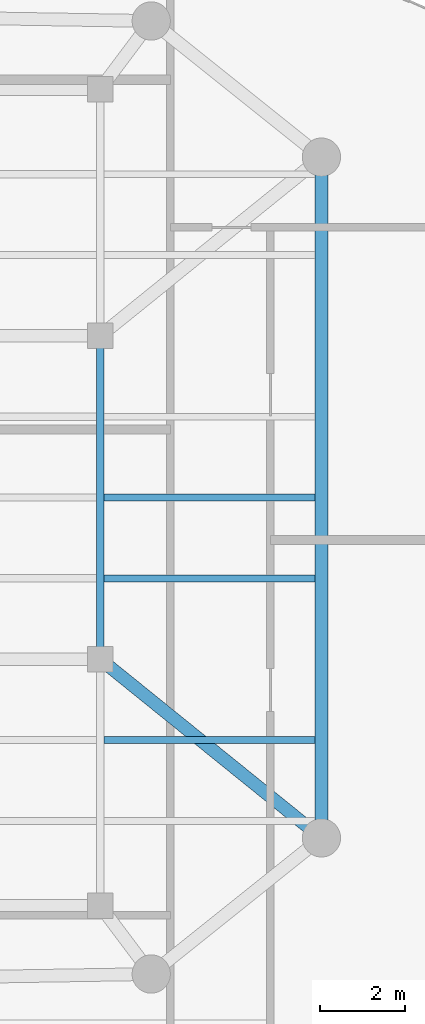
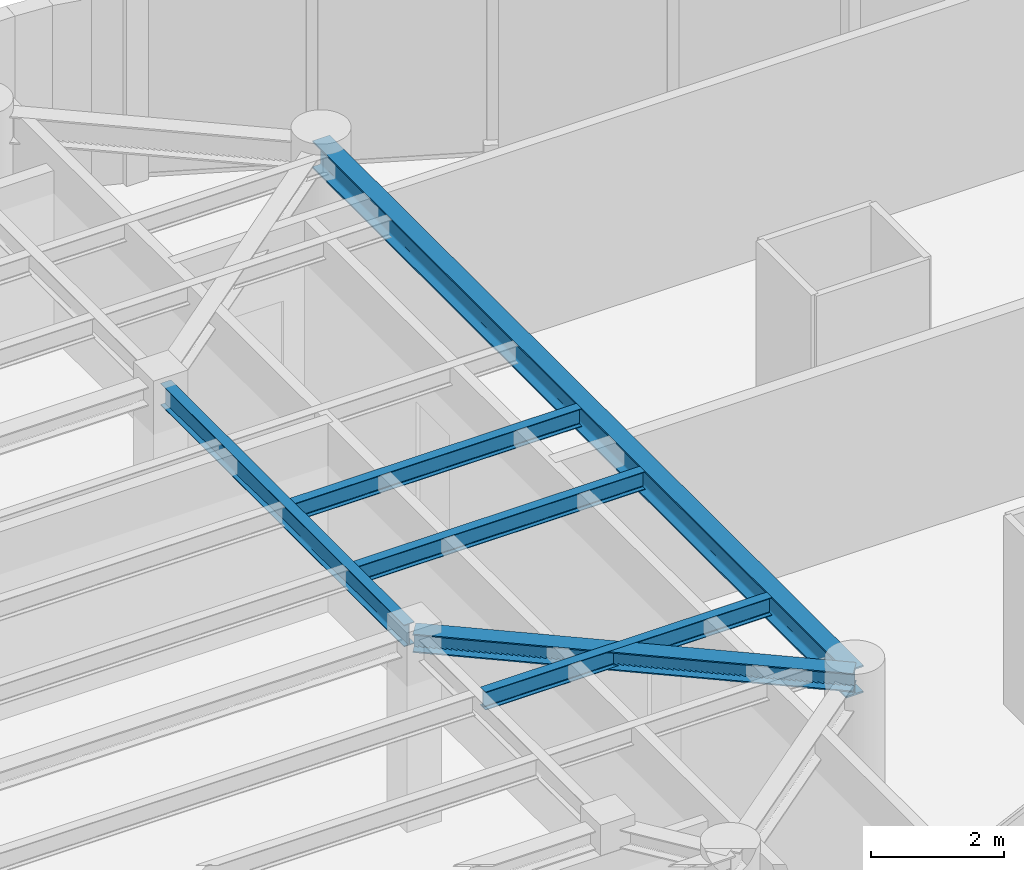
# One storey, part 3 of 12: 6 beams.
"""IFC4 building model written with IfcOpenShell, lengths in metres."""

import ifcopenshell
import ifcopenshell.guid

model = None  # the IFC model being written
_history = None  # IfcOwnerHistory: only IFC2X3 demands one
_inside = {}  # id of a spatial element -> (the spatial element, [elements in it])
_under = {}  # id of a project, library or spatial element -> (it, [spatial elements below it])
_declared = {}  # id of a project -> (the project, [libraries it declares])
_typed = {}  # id of a type object -> (the type object, [elements of that type])
_made_of = {}  # id of a material, layer set ... -> (it, [elements and type objects made of it])


def new_model(schema):
    """Start an empty IFC model of exactly this schema.

    Asked for "IFC4X3", IfcOpenShell would pick the latest addendum, in which some entities
    have other attributes; the version numbers below select the first issue.
    IFC2X3 requires an IfcOwnerHistory on every rooted entity: one is made here for all.
    """
    global model, _history
    if schema == "IFC4X3":
        model = ifcopenshell.file(schema_version=(4, 3, 0, 0))
    else:
        model = ifcopenshell.file(schema=schema)
    _inside.clear()
    _under.clear()
    _declared.clear()
    _typed.clear()
    _made_of.clear()
    _history = None
    if model.schema == "IFC2X3":
        org = make("IfcOrganization", Name="unknown")
        user = make(
            "IfcPersonAndOrganization",
            ThePerson=make("IfcPerson", FamilyName="unknown"),
            TheOrganization=org,
        )
        app = make(
            "IfcApplication",
            ApplicationDeveloper=org,
            Version="unknown",
            ApplicationFullName="unknown",
            ApplicationIdentifier="unknown",
        )
        _history = make(
            "IfcOwnerHistory",
            OwningUser=user,
            OwningApplication=app,
            ChangeAction="ADDED",
            CreationDate=0,
        )
    return model


def make(cls, **values):
    """One entity of the class cls with the attributes given. An attribute that is None is left unset."""
    return model.create_entity(
        cls, **{name: value for name, value in values.items() if value is not None}
    )


def rooted(cls, **values):
    """An entity with a GlobalId (a new one), such as an element, a storey or a relation."""
    return make(cls, GlobalId=ifcopenshell.guid.new(), OwnerHistory=_history, **values)


def si_unit(unit_type, name, prefix=None):
    """IfcSIUnit, for example si_unit("LENGTHUNIT", "METRE", prefix="MILLI")."""
    return make("IfcSIUnit", UnitType=unit_type, Prefix=prefix, Name=name)


def assignment(units):
    """IfcUnitAssignment: the units of a project."""
    return None if units is None else make("IfcUnitAssignment", Units=units)


def point(xyz):
    """IfcCartesianPoint."""
    return None if xyz is None else make("IfcCartesianPoint", Coordinates=xyz)


def direction(xyz):
    """IfcDirection."""
    return None if xyz is None else make("IfcDirection", DirectionRatios=xyz)


def frame(location, z_axis=None, x_axis=None):
    """IfcAxis2Placement3D, a coordinate frame: its origin and axes. An axis left out is left unset."""
    return make(
        "IfcAxis2Placement3D",
        Location=point(location),
        Axis=direction(z_axis),
        RefDirection=direction(x_axis),
    )


def frame_2d(location, x_axis=None):
    """IfcAxis2Placement2D, a coordinate frame in the plane: its origin and x axis."""
    return make(
        "IfcAxis2Placement2D", Location=point(location), RefDirection=direction(x_axis)
    )


def origin():
    """The frame at (0, 0, 0) with its axes left unset."""
    return frame((0.0, 0.0, 0.0))


def origin_2d():
    """The frame at (0, 0) in the plane with its x axis left unset."""
    return frame_2d((0.0, 0.0))


def place(relative_to, where):
    """IfcLocalPlacement: puts the frame where relative to a parent placement (None: the world)."""
    return make(
        "IfcLocalPlacement", PlacementRelTo=relative_to, RelativePlacement=where
    )


def context(
    kind, dimensions, precision=None, world=None, true_north=None, identifier=None
):
    """IfcGeometricRepresentationContext, for example the 3D "Model" context."""
    return make(
        "IfcGeometricRepresentationContext",
        ContextIdentifier=identifier,
        ContextType=kind,
        CoordinateSpaceDimension=dimensions,
        Precision=precision,
        WorldCoordinateSystem=world,
        TrueNorth=true_north,
    )


def subcontext(parent, identifier, kind, view, scale=None):
    """IfcGeometricRepresentationSubContext, for example "Body" below "Model"."""
    return make(
        "IfcGeometricRepresentationSubContext",
        ContextIdentifier=identifier,
        ContextType=kind,
        ParentContext=parent,
        TargetScale=scale,
        TargetView=view,
    )


def project(units=None, contexts=None):
    """IfcProject with its units and contexts."""
    return rooted(
        "IfcProject",
        Name="project",
        RepresentationContexts=contexts,
        UnitsInContext=assignment(units),
    )


def spatial(cls, under=None, at=None, **own):
    """A site, building, storey or space (cls), placed at a placement, below another one or the project."""
    s = rooted(cls, ObjectPlacement=at, **own)
    if under is not None:
        _under.setdefault(under.id(), (under, []))[1].append(s)
    return s


def profile(cls, at=None, kind="AREA", **sizes):
    """A parametric profile (cls). Its sizes go by their IFC names, for example OverallWidth=200.0."""
    return make(cls, ProfileType=kind, Position=at, **sizes)


def i_section(**sizes):
    """IfcIShapeProfileDef."""
    return profile("IfcIShapeProfileDef", **sizes)


def extrude(swept, where, along, depth):
    """IfcExtrudedAreaSolid: the profile swept, set in the frame where, extruded along a direction by depth."""
    return make(
        "IfcExtrudedAreaSolid",
        SweptArea=swept,
        Position=where,
        ExtrudedDirection=direction(along),
        Depth=depth,
    )


def shape(context_of_items, identifier, shape_type, items):
    """IfcShapeRepresentation: the items that make up one representation, for example the "Body"."""
    return make(
        "IfcShapeRepresentation",
        ContextOfItems=context_of_items,
        RepresentationIdentifier=identifier,
        RepresentationType=shape_type,
        Items=items,
    )


def material(Name=None, Category=None):
    """IfcMaterial."""
    return make("IfcMaterial", Name=Name, Category=Category)


def material_profile(
    of_material, cross_section, Name=None, Category=None, Priority=None
):
    """IfcMaterialProfile: a cross section and its material."""
    return make(
        "IfcMaterialProfile",
        Name=Name,
        Material=of_material,
        Profile=cross_section,
        Priority=Priority,
        Category=Category,
    )


def profile_set(profiles, Name=None, composite=None):
    """IfcMaterialProfileSet."""
    return make(
        "IfcMaterialProfileSet",
        Name=Name,
        MaterialProfiles=profiles,
        CompositeProfile=composite,
    )


def made_of(thing, what):
    """Note that an element or type object is made of a material, layer set ...; save() writes the relation."""
    if what is not None:
        _made_of.setdefault(what.id(), (what, []))[1].append(thing)
    return thing


def type_object(cls, material=None, **own):
    """A type object (cls), such as IfcWallType, which elements share."""
    return made_of(rooted(cls, **own), material)


def element(
    cls,
    number,
    at=None,
    inside=None,
    cuts=None,
    type_object=None,
    material=None,
    context=None,
    identifier="Body",
    shape_type=None,
    held_by="IfcProductDefinitionShape",
    body=None,
    shapes=None,
    **own,
):
    """One element of the class cls, such as IfcWall. Its Tag is "e" and its number.

    at: its placement. inside: the storey or other place that contains it. cuts: it is an
    opening in that element (IfcRelVoidsElement). A single representation is given by context,
    identifier, shape_type and body (its items); several are given by shapes. held_by: the class
    of the entity that holds the representations. save() writes the other relations.
    """
    e = rooted(cls, Tag="e%d" % number, ObjectPlacement=at, **own)
    if body is not None:
        shapes = [shape(context, identifier, shape_type, body)]
    if shapes is not None:
        e.Representation = make(held_by, Representations=shapes)
    if inside is not None:
        _inside.setdefault(inside.id(), (inside, []))[1].append(e)
    if cuts is not None:
        rooted(
            "IfcRelVoidsElement", RelatingBuildingElement=cuts, RelatedOpeningElement=e
        )
    if type_object is not None:
        _typed.setdefault(type_object.id(), (type_object, []))[1].append(e)
    return made_of(e, material)


def aggregate(whole, parts):
    """IfcRelAggregates: a whole, such as a stair, and the parts it consists of."""
    return rooted("IfcRelAggregates", RelatingObject=whole, RelatedObjects=parts)


def save(model, path):
    """Write the relations noted so far, then the file.

    IfcRelAggregates (storeys below a building ...), IfcRelContainedInSpatialStructure (elements
    in a storey), IfcRelDefinesByType, IfcRelAssociatesMaterial and IfcRelDeclares: one each for
    every whole, place, type object, material and project.
    """
    for whole, parts in _under.values():
        aggregate(whole, parts)
    for where, things in _inside.values():
        rooted(
            "IfcRelContainedInSpatialStructure",
            RelatedElements=things,
            RelatingStructure=where,
        )
    for kind, things in _typed.values():
        rooted("IfcRelDefinesByType", RelatedObjects=things, RelatingType=kind)
    for what, things in _made_of.values():
        rooted("IfcRelAssociatesMaterial", RelatedObjects=things, RelatingMaterial=what)
    for by, libraries in _declared.values():
        rooted("IfcRelDeclares", RelatingContext=by, RelatedDefinitions=libraries)
    model.write(path)


model = new_model("IFC4")

# Units and contexts
model_context = context("Model", 3, precision=1e-05, world=origin(), true_north=direction((0.0, 1.0)))
body_context = subcontext(model_context, "Body", "Model", "MODEL_VIEW")
ifc_project = project(units=[si_unit("LENGTHUNIT", "METRE"), si_unit("AREAUNIT", "SQUARE_METRE"), si_unit("VOLUMEUNIT", "CUBIC_METRE"), si_unit("PLANEANGLEUNIT", "RADIAN"), si_unit("MASSUNIT", "GRAM", prefix="KILO")], contexts=[model_context])

# Site, building, storey
site_placement = place(None, origin())
site = spatial("IfcSite", under=ifc_project, at=site_placement, CompositionType="ELEMENT")
building_placement = place(site_placement, origin())
building = spatial("IfcBuilding", under=site, at=building_placement, Name="An Khanh Terracotta Commons", CompositionType="ELEMENT")
storey_placement = place(building_placement, frame((0.0, 0.0, 262.449951171875)))
storey = spatial("IfcBuildingStorey", under=building, at=storey_placement, Name="L68", CompositionType="ELEMENT", Elevation=262.449951171875)

# Beams
ifc_material = material(Name="Steel S355J2", Category="steel")
ifc_material_profile_1 = material_profile(ifc_material, i_section(OverallWidth=0.300048828125, OverallDepth=0.340087890625, WebThickness=0.011962890625, FlangeThickness=0.021484375, FilletRadius=0.027099609375, at=origin_2d()), Name="HEB340")
ifc_profile_set_1 = profile_set([ifc_material_profile_1], Name="Steel S355J2")
beam_type_1 = type_object("IfcBeamType", Name="BM-HEB340", PredefinedType="BEAM", material=ifc_profile_set_1)
beam_1_placement = place(storey_placement, frame((63.39990234375, 16.0, 3.280029296875), z_axis=(-0.777941866883, 0.628336256913, 0.0), x_axis=(-0.628336256913, -0.777941866883, 0.0)))
element("IfcBeam", 1, at=beam_1_placement, inside=storey, type_object=beam_type_1, Name="L68 Mega-Column Tie Girder 3", PredefinedType="BEAM", context=body_context, shape_type="SweptSolid", body=[
    extrude(i_section(OverallWidth=0.300048828125, OverallDepth=0.340087890625, WebThickness=0.011962890625, FlangeThickness=0.021484375, FilletRadius=0.027099609375, at=origin_2d()), origin(), (0.0, 0.0, 1.0), 6.684326171875),
])
ifc_material_profile_2 = material_profile(ifc_material, i_section(OverallWidth=0.300048828125, OverallDepth=0.5, WebThickness=0.014404296875, FlangeThickness=0.028076171875, FilletRadius=0.027099609375, at=origin_2d()), Name="HEB500")
ifc_profile_set_2 = profile_set([ifc_material_profile_2], Name="Steel S355J2")
beam_type_2 = type_object("IfcBeamType", Name="BM-HEB500", PredefinedType="BEAM", material=ifc_profile_set_2)
beam_2_placement = place(storey_placement, frame((63.39990234375, 16.0, 3.199951171875), z_axis=(0.0, 1.0, 0.0), x_axis=(-1.0, 0.0, 0.0)))
element("IfcBeam", 2, at=beam_2_placement, inside=storey, type_object=beam_type_2, Name="L68 Perimeter Ring Spandrel 3", PredefinedType="BEAM", context=body_context, shape_type="SweptSolid", body=[
    extrude(i_section(OverallWidth=0.300048828125, OverallDepth=0.5, WebThickness=0.014404296875, FlangeThickness=0.028076171875, FilletRadius=0.027099609375, at=origin_2d()), origin(), (0.0, 0.0, 1.0), 16.0),
])
ifc_material_profile_3 = material_profile(ifc_material, i_section(OverallWidth=0.159912109375, OverallDepth=0.330078125, WebThickness=0.007568359375, FlangeThickness=0.011474609375, FilletRadius=0.01806640625, at=origin_2d()), Name="IPE330")
ifc_profile_set_3 = profile_set([ifc_material_profile_3], Name="Steel S355J2")
beam_type_3 = type_object("IfcBeamType", Name="BM-IPE330", PredefinedType="JOIST", material=ifc_profile_set_3)
for number, where, z_axis, x_axis, name in (
    (3, (58.2900390625, 18.300048828125, 3.28515625), (1.0, 0.0, 0.0), (0.0, 1.0, 0.0), "L68 Riverfront Composite Joist 2"),
    (4, (58.2900390625, 22.10009765625, 3.28515625), (1.0, 0.0, 0.0), (0.0, 1.0, 0.0), "L68 Riverfront Composite Joist 3"),
    (5, (58.2900390625, 24.0, 3.28515625), (1.0, 0.0, 0.0), (0.0, 1.0, 0.0), "L68 Riverfront Composite Joist 4"),
):
    element("IfcBeam", number, at=place(storey_placement, frame(where, z_axis=z_axis, x_axis=x_axis)), inside=storey, type_object=beam_type_3, Name=name, PredefinedType="JOIST", context=body_context, shape_type="SweptSolid", body=[
        extrude(i_section(OverallWidth=0.159912109375, OverallDepth=0.330078125, WebThickness=0.007568359375, FlangeThickness=0.011474609375, FilletRadius=0.01806640625, at=origin_2d()), origin(), (0.0, 0.0, 1.0), 4.9599609375),
    ])
ifc_material_profile_4 = material_profile(ifc_material, i_section(OverallWidth=0.179931640625, OverallDepth=0.39990234375, WebThickness=0.008544921875, FlangeThickness=0.013427734375, FilletRadius=0.02099609375, at=origin_2d()), Name="IPE400")
ifc_profile_set_4 = profile_set([ifc_material_profile_4], Name="Steel S355J2")
beam_type_4 = type_object("IfcBeamType", Name="BM-IPE400", PredefinedType="JOIST", material=ifc_profile_set_4)
beam_3_placement = place(storey_placement, frame((58.199951171875, 20.35009765625, 3.25), z_axis=(0.0, 1.0, 0.0), x_axis=(-1.0, 0.0, 0.0)))
element("IfcBeam", 6, at=beam_3_placement, inside=storey, type_object=beam_type_4, Name="L68 East Spine Girder 2", PredefinedType="JOIST", context=body_context, shape_type="SweptSolid", body=[
    extrude(i_section(OverallWidth=0.179931640625, OverallDepth=0.39990234375, WebThickness=0.008544921875, FlangeThickness=0.013427734375, FilletRadius=0.02099609375, at=origin_2d()), origin(), (0.0, 0.0, 1.0), 7.2998046875),
])

save(model, "model.ifc")
